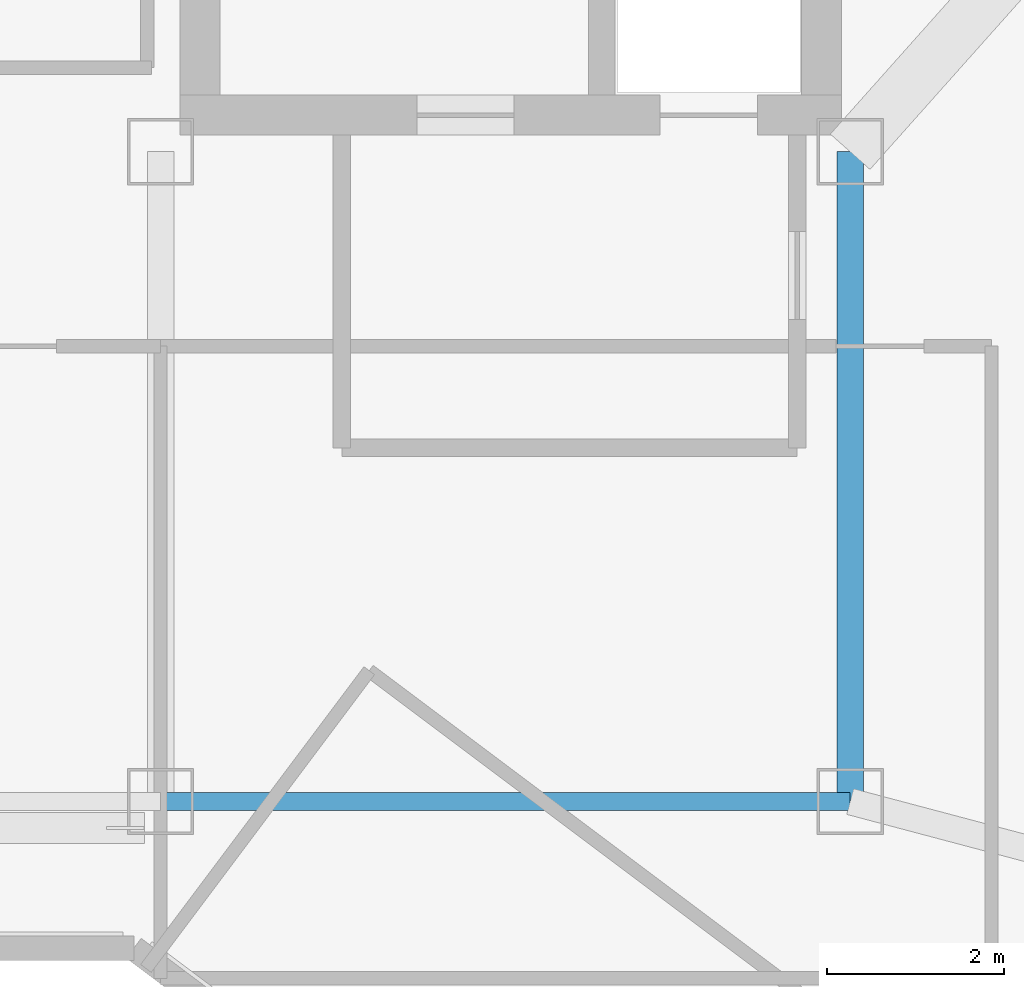
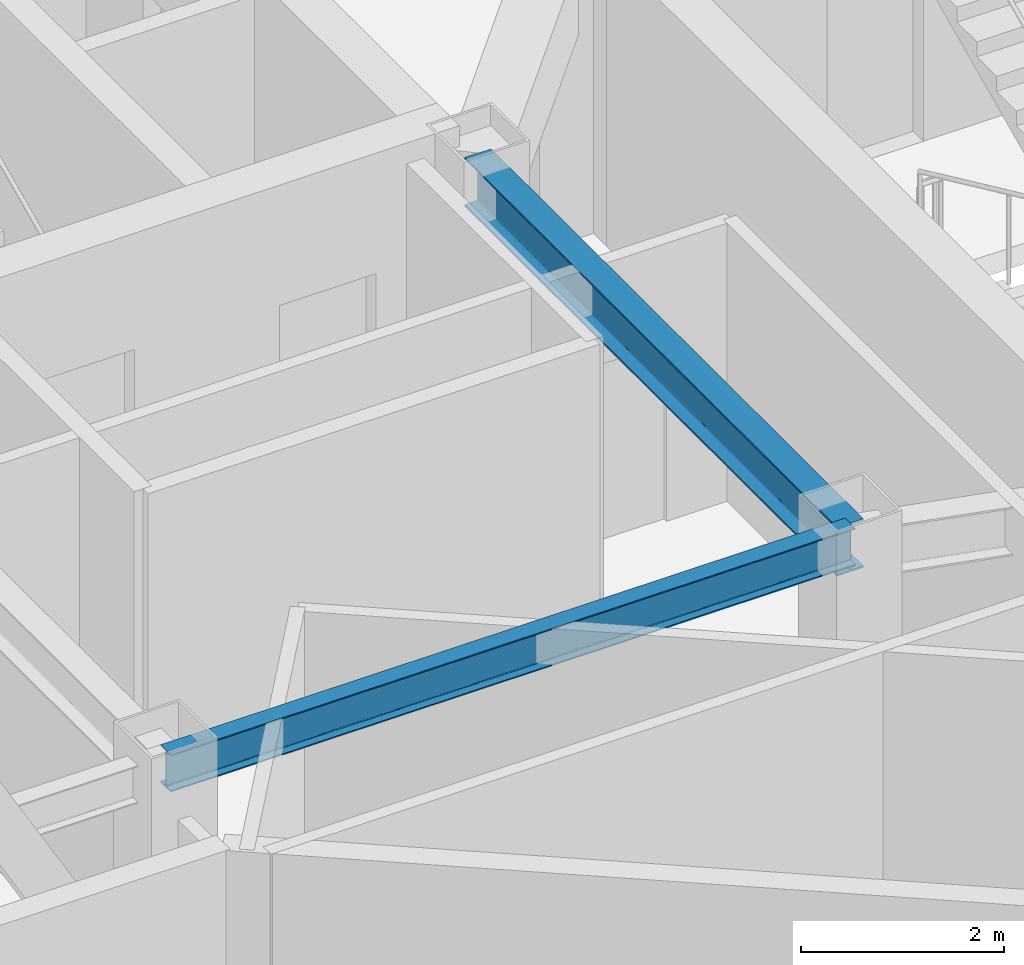
# One storey, part 5 of 24: 2 beams.
"""IFC4 building model written with IfcOpenShell, lengths in metres."""

from ifc_helpers import new_model, si_unit, direction, frame, origin, origin_2d, place, context, subcontext, project, spatial, i_section, extrude, material, material_profile, profile_set, type_object, element, save


model = new_model("IFC4")

# Units and contexts
model_context = context("Model", 3, precision=1e-05, world=origin(), true_north=direction((0.0, 1.0)))
body_context = subcontext(model_context, "Body", "Model", "MODEL_VIEW")
ifc_project = project(units=[si_unit("LENGTHUNIT", "METRE"), si_unit("AREAUNIT", "SQUARE_METRE"), si_unit("VOLUMEUNIT", "CUBIC_METRE"), si_unit("PLANEANGLEUNIT", "RADIAN"), si_unit("MASSUNIT", "GRAM", prefix="KILO")], contexts=[model_context])

# Site, building, storey
site_placement = place(None, origin())
site = spatial("IfcSite", under=ifc_project, at=site_placement, CompositionType="ELEMENT")
building_placement = place(site_placement, origin())
building = spatial("IfcBuilding", under=site, at=building_placement, Name="Hatsunagi Terrace Concourse", CompositionType="ELEMENT")
storey_placement = place(building_placement, frame((0.0, 0.0, 191.550048828125)))
storey = spatial("IfcBuildingStorey", under=building, at=storey_placement, Name="L50", CompositionType="ELEMENT", Elevation=191.550048828125)

# Beams
ifc_material_1 = material(Name="Steel SN490B", Category="steel")
ifc_material_profile_1 = material_profile(ifc_material_1, i_section(OverallWidth=0.300048828125, OverallDepth=0.587890625, WebThickness=0.011962890625, FlangeThickness=0.02001953125, FilletRadius=0.01806640625, at=origin_2d()), Name="H-588x300x12x20")
ifc_profile_set_1 = profile_set([ifc_material_profile_1], Name="Steel SN490B")
beam_type_1 = type_object("IfcBeamType", Name="OfficeHighGirder_H_588x300", PredefinedType="BEAM", material=ifc_profile_set_1)
beam_1_placement = place(storey_placement, frame((33.35009765625, 25.199951171875, 3.055908203125), z_axis=(0.0, 1.0, 0.0), x_axis=(-1.0, 0.0, 0.0)))
element("IfcBeam", 1, at=beam_1_placement, inside=storey, type_object=beam_type_1, Name="Beam G-06 BM-L50-K2CA", PredefinedType="BEAM", context=body_context, shape_type="SweptSolid", body=[
    extrude(i_section(OverallWidth=0.300048828125, OverallDepth=0.587890625, WebThickness=0.011962890625, FlangeThickness=0.02001953125, FilletRadius=0.01806640625, at=origin_2d()), origin(), (0.0, 0.0, 1.0), 7.35009765625),
])
ifc_material_2 = material(Name="Steel SN490B", Category="steel")
ifc_material_profile_2 = material_profile(ifc_material_2, i_section(OverallWidth=0.199951171875, OverallDepth=0.449951171875, WebThickness=0.009033203125, FlangeThickness=0.013916015625, FilletRadius=0.01611328125, at=origin_2d()), Name="H-450x200x9x14")
ifc_profile_set_2 = profile_set([ifc_material_profile_2], Name="Steel SN490B")
beam_type_2 = type_object("IfcBeamType", Name="PerimeterSpandrel_H_450x200", PredefinedType="SPANDREL", material=ifc_profile_set_2)
beam_2_placement = place(storey_placement, frame((25.550048828125, 25.199951171875, 3.125), z_axis=(1.0, 0.0, 0.0), x_axis=(0.0, 1.0, 0.0)))
element("IfcBeam", 2, at=beam_2_placement, inside=storey, type_object=beam_type_2, Name="Beam SP-02 BM-L50-WS-25", PredefinedType="SPANDREL", context=body_context, shape_type="SweptSolid", body=[
    extrude(i_section(OverallWidth=0.199951171875, OverallDepth=0.449951171875, WebThickness=0.009033203125, FlangeThickness=0.013916015625, FilletRadius=0.01611328125, at=origin_2d()), origin(), (0.0, 0.0, 1.0), 7.800048828125),
])

save(model, "model.ifc")
